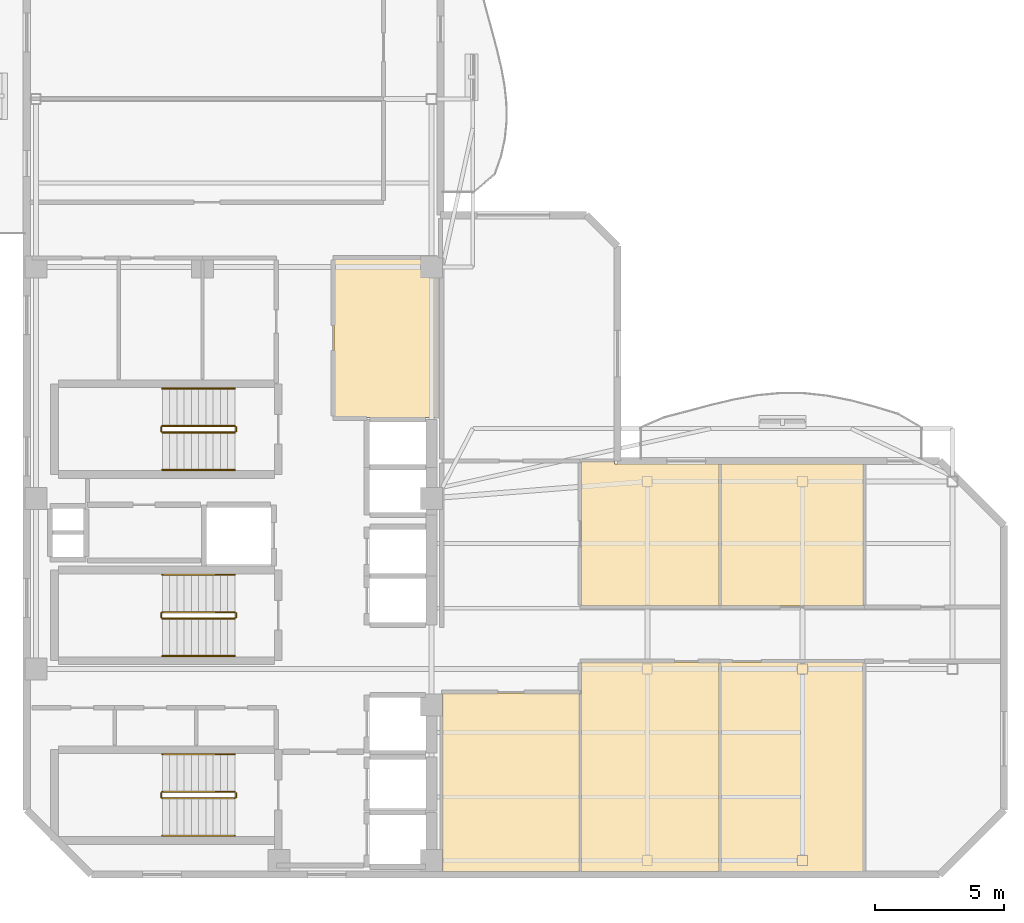
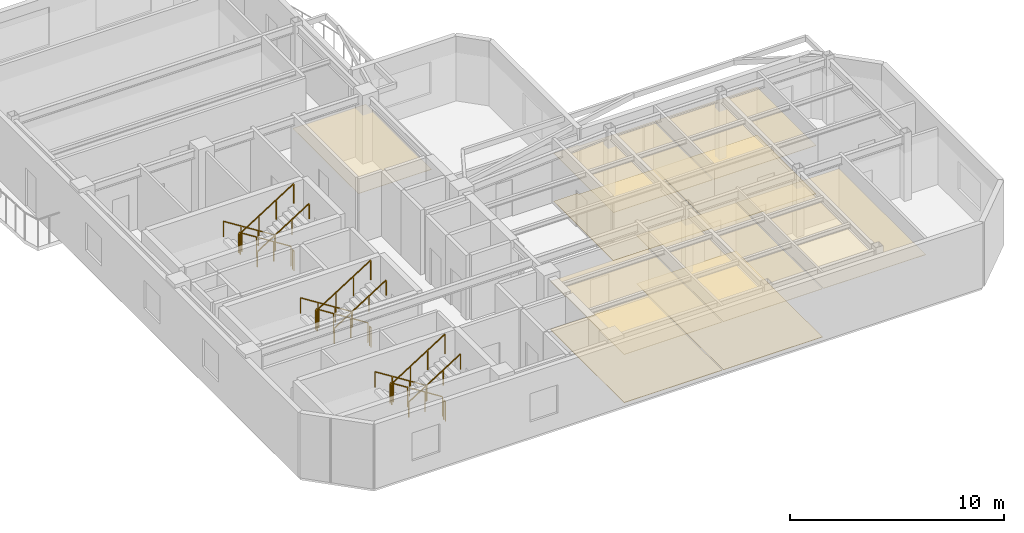
# One storey, part 6 of 7: 18 railings, 10 coverings.
"""IFC4 building model written with IfcOpenShell, lengths in metres."""

from ifc_helpers import new_model, si_unit, direction, frame, origin, origin_2d, place, context, subcontext, project, spatial, polyline, rectangle, outline, extrude, material, layer, layer_set, type_object, element, save


model = new_model("IFC4")

# Units and contexts
model_context = context("Model", 3, precision=1e-05, world=origin(), true_north=direction((0.0, 1.0)))
body_context = subcontext(model_context, "Body", "Model", "MODEL_VIEW")
ifc_project = project(units=[si_unit("LENGTHUNIT", "METRE"), si_unit("AREAUNIT", "SQUARE_METRE"), si_unit("VOLUMEUNIT", "CUBIC_METRE"), si_unit("PLANEANGLEUNIT", "RADIAN"), si_unit("MASSUNIT", "GRAM", prefix="KILO")], contexts=[model_context])

# Site, building, storey
site_placement = place(None, origin())
site = spatial("IfcSite", under=ifc_project, at=site_placement, CompositionType="ELEMENT")
building_placement = place(site_placement, origin())
building = spatial("IfcBuilding", under=site, at=building_placement, Name="Mawjaban Terraces University", CompositionType="ELEMENT")
storey_placement = place(building_placement, frame((0.0, 0.0, 252.10009765625)))
storey = spatial("IfcBuildingStorey", under=building, at=storey_placement, Name="L61", CompositionType="ELEMENT", Elevation=252.10009765625)

# Coverings
ifc_material_1 = material(Name="Acoustic mineral fibre ceiling tile", Category="masonry")
ifc_layer_1 = layer(ifc_material_1, 0.02001953125)
ifc_layer_set_1 = layer_set([ifc_layer_1], Name="Acoustic mineral fibre ceiling tile")
covering_type_1 = type_object("IfcCoveringType", Name="AcousticMineralCeiling_20", PredefinedType="CEILING", material=ifc_layer_set_1)
covering_1_placement = place(storey_placement, frame((0.0, 0.0, 2.75)))
element("IfcCovering", 1, at=covering_1_placement, inside=storey, type_object=covering_type_1, Name="L61 Graduate Research Collaboration Studio Acoustic Ceiling", PredefinedType="CEILING", context=body_context, shape_type="SweptSolid", body=[
    extrude(outline(polyline([(37.820068359375, 17.679931640625), (37.820068359375, 23.820068359375), (33.8798828125, 23.820068359375), (33.8798828125, 17.679931640625), (37.820068359375, 17.679931640625)])), origin(), (0.0, 0.0, 1.0), 0.02001953125),
])
covering_2_placement = place(storey_placement, frame((0.0, 0.0, 2.75)))
element("IfcCovering", 2, at=covering_2_placement, inside=storey, type_object=covering_type_1, Name="L61 Classroom 1 Acoustic Ceiling", PredefinedType="CEILING", context=body_context, shape_type="SweptSolid", body=[
    extrude(outline(polyline([(38.080078125, 7.02001953125), (38.080078125, 0.114990234375), (43.3701171875, 0.114990234375), (43.3701171875, 7.02001953125), (38.080078125, 7.02001953125)])), origin(), (0.0, 0.0, 1.0), 0.02001953125),
])
covering_3_placement = place(storey_placement, frame((0.0, 0.0, 2.75)))
element("IfcCovering", 3, at=covering_3_placement, inside=storey, type_object=covering_type_1, Name="L61 Seminar Room 2 Acoustic Ceiling", PredefinedType="CEILING", context=body_context, shape_type="SweptSolid", body=[
    extrude(outline(polyline([(43.429931640625, 0.114990234375), (48.781982421875, 0.114990234375), (48.781982421875, 8.219970703125), (43.429931640625, 8.219970703125), (43.429931640625, 0.114990234375)])), origin(), (0.0, 0.0, 1.0), 0.02001953125),
])
covering_4_placement = place(storey_placement, frame((0.0, 0.0, 2.75)))
element("IfcCovering", 4, at=covering_4_placement, inside=storey, type_object=covering_type_1, Name="L61 Classroom 3 Acoustic Ceiling", PredefinedType="CEILING", context=body_context, shape_type="SweptSolid", body=[
    extrude(outline(polyline([(48.781982421875, 15.885009765625), (44.72509765625, 15.885009765625), (44.72509765625, 15.969970703125), (43.429931640625, 15.969970703125), (43.429931640625, 10.3798828125), (48.781982421875, 10.3798828125), (48.781982421875, 15.885009765625)])), origin(), (0.0, 0.0, 1.0), 0.02001953125),
])
covering_5_placement = place(storey_placement, frame((0.0, 0.0, 2.75)))
element("IfcCovering", 5, at=covering_5_placement, inside=storey, type_object=covering_type_1, Name="L61 Teaching Laboratory 4 Acoustic Ceiling", PredefinedType="CEILING", context=body_context, shape_type="SweptSolid", body=[
    extrude(outline(polyline([(48.842041015625, 0.114990234375), (54.35791015625, 0.114990234375), (54.35791015625, 8.219970703125), (48.842041015625, 8.219970703125), (48.842041015625, 0.114990234375)])), origin(), (0.0, 0.0, 1.0), 0.02001953125),
])
covering_6_placement = place(storey_placement, frame((0.0, 0.0, 2.75)))
element("IfcCovering", 6, at=covering_6_placement, inside=storey, type_object=covering_type_1, Name="L61 Seminar Room 5 Acoustic Ceiling", PredefinedType="CEILING", context=body_context, shape_type="SweptSolid", body=[
    extrude(outline(polyline([(54.35791015625, 15.885009765625), (48.842041015625, 15.885009765625), (48.842041015625, 10.3798828125), (54.35791015625, 10.3798828125), (54.35791015625, 15.885009765625)])), origin(), (0.0, 0.0, 1.0), 0.02001953125),
])

# Railings
ifc_material_2 = material(Name="Brushed stainless steel 316", Category="steel")
railing_type_1 = type_object("IfcRailingType", Name="StairWallHandrail_900", PredefinedType="HANDRAIL", material=ifc_material_2)
railing_1_placement = place(storey_placement, frame((30.050048828125, 4.64990234375, 0.17724609375)))
element("IfcRailing", 7, at=railing_1_placement, inside=storey, type_object=railing_type_1, Name="L61 ST-1 stair handrail 1", PredefinedType="HANDRAIL", context=body_context, shape_type="SweptSolid", body=[
    extrude(rectangle(XDim=0.048095703125, YDim=0.048095703125, at=origin_2d()), frame((0.0, 0.0, 0.8759765625), z_axis=(-0.844908973607, 0.0, 0.534910110503), x_axis=(0.0, -1.0, 0.0)), (0.0, 0.0, 1.0), 3.31396484375),
    extrude(rectangle(XDim=0.0419921875, YDim=0.0419921875, at=origin_2d()), origin(), (0.0, 0.0, 1.0), 0.851806640625),
    extrude(rectangle(XDim=0.0419921875, YDim=0.0419921875, at=origin_2d()), frame((-0.933349609375, 0.0, 0.5908203125)), (0.0, 0.0, 1.0), 0.851806640625),
    extrude(rectangle(XDim=0.0419921875, YDim=0.0419921875, at=origin_2d()), frame((-1.86669921875, 0.0, 1.181884765625)), (0.0, 0.0, 1.0), 0.851806640625),
    extrude(rectangle(XDim=0.0419921875, YDim=0.0419921875, at=origin_2d()), frame((-2.800048828125, 0.0, 1.772705078125)), (0.0, 0.0, 1.0), 0.851806640625),
])
railing_2_placement = place(storey_placement, frame((27.25, 1.5, 2.127197265625)))
element("IfcRailing", 8, at=railing_2_placement, inside=storey, type_object=railing_type_1, Name="L61 ST-1 stair handrail 2", PredefinedType="HANDRAIL", context=body_context, shape_type="SweptSolid", body=[
    extrude(rectangle(XDim=0.048095703125, YDim=0.048095703125, at=origin_2d()), frame((0.0, 0.0, 0.8759765625), z_axis=(0.844908973607, 0.0, 0.534910110503), x_axis=(0.0, 1.0, 0.0)), (0.0, 0.0, 1.0), 3.31396484375),
    extrude(rectangle(XDim=0.0419921875, YDim=0.0419921875, at=origin_2d()), origin(), (0.0, 0.0, 1.0), 0.851806640625),
    extrude(rectangle(XDim=0.0419921875, YDim=0.0419921875, at=origin_2d()), frame((0.933349609375, 0.0, 0.5908203125)), (0.0, 0.0, 1.0), 0.851806640625),
    extrude(rectangle(XDim=0.0419921875, YDim=0.0419921875, at=origin_2d()), frame((1.86669921875, 0.0, 1.181884765625)), (0.0, 0.0, 1.0), 0.851806640625),
    extrude(rectangle(XDim=0.0419921875, YDim=0.0419921875, at=origin_2d()), frame((2.800048828125, 0.0, 1.772705078125)), (0.0, 0.0, 1.0), 0.851806640625),
])
railing_3_placement = place(storey_placement, frame((30.050048828125, 18.800048828125, 0.17724609375)))
element("IfcRailing", 9, at=railing_3_placement, inside=storey, type_object=railing_type_1, Name="L61 ST-2 stair handrail 1", PredefinedType="HANDRAIL", context=body_context, shape_type="SweptSolid", body=[
    extrude(rectangle(XDim=0.048095703125, YDim=0.048095703125, at=origin_2d()), frame((0.0, 0.0, 0.8759765625), z_axis=(-0.844908973607, 0.0, 0.534910110503), x_axis=(0.0, -1.0, 0.0)), (0.0, 0.0, 1.0), 3.31396484375),
    extrude(rectangle(XDim=0.0419921875, YDim=0.0419921875, at=origin_2d()), origin(), (0.0, 0.0, 1.0), 0.851806640625),
    extrude(rectangle(XDim=0.0419921875, YDim=0.0419921875, at=origin_2d()), frame((-0.933349609375, 0.0, 0.5908203125)), (0.0, 0.0, 1.0), 0.851806640625),
    extrude(rectangle(XDim=0.0419921875, YDim=0.0419921875, at=origin_2d()), frame((-1.86669921875, 0.0, 1.181884765625)), (0.0, 0.0, 1.0), 0.851806640625),
    extrude(rectangle(XDim=0.0419921875, YDim=0.0419921875, at=origin_2d()), frame((-2.800048828125, 0.0, 1.772705078125)), (0.0, 0.0, 1.0), 0.851806640625),
])
railing_4_placement = place(storey_placement, frame((27.25, 15.64990234375, 2.127197265625)))
element("IfcRailing", 10, at=railing_4_placement, inside=storey, type_object=railing_type_1, Name="L61 ST-2 stair handrail 2", PredefinedType="HANDRAIL", context=body_context, shape_type="SweptSolid", body=[
    extrude(rectangle(XDim=0.048095703125, YDim=0.048095703125, at=origin_2d()), frame((0.0, 0.0, 0.8759765625), z_axis=(0.844908973607, 0.0, 0.534910110503), x_axis=(0.0, 1.0, 0.0)), (0.0, 0.0, 1.0), 3.31396484375),
    extrude(rectangle(XDim=0.0419921875, YDim=0.0419921875, at=origin_2d()), origin(), (0.0, 0.0, 1.0), 0.851806640625),
    extrude(rectangle(XDim=0.0419921875, YDim=0.0419921875, at=origin_2d()), frame((0.933349609375, 0.0, 0.5908203125)), (0.0, 0.0, 1.0), 0.851806640625),
    extrude(rectangle(XDim=0.0419921875, YDim=0.0419921875, at=origin_2d()), frame((1.86669921875, 0.0, 1.181884765625)), (0.0, 0.0, 1.0), 0.851806640625),
    extrude(rectangle(XDim=0.0419921875, YDim=0.0419921875, at=origin_2d()), frame((2.800048828125, 0.0, 1.772705078125)), (0.0, 0.0, 1.0), 0.851806640625),
])
railing_5_placement = place(storey_placement, frame((30.050048828125, 11.60009765625, 0.17724609375)))
element("IfcRailing", 11, at=railing_5_placement, inside=storey, type_object=railing_type_1, Name="L61 ST-3 stair handrail 1", PredefinedType="HANDRAIL", context=body_context, shape_type="SweptSolid", body=[
    extrude(rectangle(XDim=0.048095703125, YDim=0.048095703125, at=origin_2d()), frame((0.0, 0.0, 0.8759765625), z_axis=(-0.844908973607, 0.0, 0.534910110503), x_axis=(0.0, -1.0, 0.0)), (0.0, 0.0, 1.0), 3.31396484375),
    extrude(rectangle(XDim=0.0419921875, YDim=0.0419921875, at=origin_2d()), origin(), (0.0, 0.0, 1.0), 0.851806640625),
    extrude(rectangle(XDim=0.0419921875, YDim=0.0419921875, at=origin_2d()), frame((-0.933349609375, 0.0, 0.5908203125)), (0.0, 0.0, 1.0), 0.851806640625),
    extrude(rectangle(XDim=0.0419921875, YDim=0.0419921875, at=origin_2d()), frame((-1.86669921875, 0.0, 1.181884765625)), (0.0, 0.0, 1.0), 0.851806640625),
    extrude(rectangle(XDim=0.0419921875, YDim=0.0419921875, at=origin_2d()), frame((-2.800048828125, 0.0, 1.772705078125)), (0.0, 0.0, 1.0), 0.851806640625),
])
railing_6_placement = place(storey_placement, frame((27.25, 8.449951171875, 2.127197265625)))
element("IfcRailing", 12, at=railing_6_placement, inside=storey, type_object=railing_type_1, Name="L61 ST-3 stair handrail 2", PredefinedType="HANDRAIL", context=body_context, shape_type="SweptSolid", body=[
    extrude(rectangle(XDim=0.048095703125, YDim=0.048095703125, at=origin_2d()), frame((0.0, 0.0, 0.8759765625), z_axis=(0.844908973607, 0.0, 0.534910110503), x_axis=(0.0, 1.0, 0.0)), (0.0, 0.0, 1.0), 3.31396484375),
    extrude(rectangle(XDim=0.0419921875, YDim=0.0419921875, at=origin_2d()), origin(), (0.0, 0.0, 1.0), 0.851806640625),
    extrude(rectangle(XDim=0.0419921875, YDim=0.0419921875, at=origin_2d()), frame((0.933349609375, 0.0, 0.5908203125)), (0.0, 0.0, 1.0), 0.851806640625),
    extrude(rectangle(XDim=0.0419921875, YDim=0.0419921875, at=origin_2d()), frame((1.86669921875, 0.0, 1.181884765625)), (0.0, 0.0, 1.0), 0.851806640625),
    extrude(rectangle(XDim=0.0419921875, YDim=0.0419921875, at=origin_2d()), frame((2.800048828125, 0.0, 1.772705078125)), (0.0, 0.0, 1.0), 0.851806640625),
])
ifc_material_3 = material(Name="Galvanised painted steel S355", Category="steel")
railing_type_2 = type_object("IfcRailingType", Name="StairWellGuard_1150", PredefinedType="BALUSTRADE", material=ifc_material_3)
railing_7_placement = place(storey_placement, frame((30.050048828125, 3.199951171875, 0.17724609375)))
element("IfcRailing", 13, at=railing_7_placement, inside=storey, type_object=railing_type_2, Name="L61 ST-1 stair guard 1", PredefinedType="BALUSTRADE", context=body_context, shape_type="SweptSolid", body=[
    extrude(rectangle(XDim=0.048095703125, YDim=0.048095703125, at=origin_2d()), frame((0.0, 0.0, 1.1259765625), z_axis=(-0.844908973607, 0.0, 0.534910110503), x_axis=(0.0, -1.0, 0.0)), (0.0, 0.0, 1.0), 3.31396484375),
    extrude(rectangle(XDim=0.0419921875, YDim=0.0419921875, at=origin_2d()), origin(), (0.0, 0.0, 1.0), 1.101806640625),
    extrude(rectangle(XDim=0.0419921875, YDim=0.0419921875, at=origin_2d()), frame((-0.933349609375, 0.0, 0.5908203125)), (0.0, 0.0, 1.0), 1.101806640625),
    extrude(rectangle(XDim=0.0419921875, YDim=0.0419921875, at=origin_2d()), frame((-1.86669921875, 0.0, 1.181884765625)), (0.0, 0.0, 1.0), 1.101806640625),
    extrude(rectangle(XDim=0.0419921875, YDim=0.0419921875, at=origin_2d()), frame((-2.800048828125, 0.0, 1.772705078125)), (0.0, 0.0, 1.0), 1.101806640625),
])
railing_8_placement = place(storey_placement, frame((27.199951171875, 3.14990234375, 1.949951171875)))
element("IfcRailing", 14, at=railing_8_placement, inside=storey, type_object=railing_type_2, Name="L61 ST-1 stair guard 2", PredefinedType="BALUSTRADE", context=body_context, shape_type="SweptSolid", body=[
    extrude(rectangle(XDim=0.048095703125, YDim=0.048095703125, at=origin_2d()), frame((0.0, 0.0, 1.1259765625), z_axis=(0.0, -1.0, 0.0), x_axis=(1.0, 0.0, 0.0)), (0.0, 0.0, 1.0), 0.14990234375),
    extrude(rectangle(XDim=0.0419921875, YDim=0.0419921875, at=origin_2d()), origin(), (0.0, 0.0, 1.0), 1.101806640625),
    extrude(rectangle(XDim=0.0419921875, YDim=0.0419921875, at=origin_2d()), frame((0.0, -0.14990234375, 0.0)), (0.0, 0.0, 1.0), 1.101806640625),
])
railing_9_placement = place(storey_placement, frame((27.25, 2.949951171875, 2.127197265625)))
element("IfcRailing", 15, at=railing_9_placement, inside=storey, type_object=railing_type_2, Name="L61 ST-1 stair guard 3", PredefinedType="BALUSTRADE", context=body_context, shape_type="SweptSolid", body=[
    extrude(rectangle(XDim=0.048095703125, YDim=0.048095703125, at=origin_2d()), frame((0.0, 0.0, 1.1259765625), z_axis=(0.844908973607, 0.0, 0.534910110503), x_axis=(0.0, 1.0, 0.0)), (0.0, 0.0, 1.0), 3.31396484375),
    extrude(rectangle(XDim=0.0419921875, YDim=0.0419921875, at=origin_2d()), origin(), (0.0, 0.0, 1.0), 1.101806640625),
    extrude(rectangle(XDim=0.0419921875, YDim=0.0419921875, at=origin_2d()), frame((0.933349609375, 0.0, 0.5908203125)), (0.0, 0.0, 1.0), 1.101806640625),
    extrude(rectangle(XDim=0.0419921875, YDim=0.0419921875, at=origin_2d()), frame((1.86669921875, 0.0, 1.181884765625)), (0.0, 0.0, 1.0), 1.101806640625),
    extrude(rectangle(XDim=0.0419921875, YDim=0.0419921875, at=origin_2d()), frame((2.800048828125, 0.0, 1.772705078125)), (0.0, 0.0, 1.0), 1.101806640625),
])
railing_10_placement = place(storey_placement, frame((30.10009765625, 3.14990234375, 0.0)))
element("IfcRailing", 16, at=railing_10_placement, inside=storey, type_object=railing_type_2, Name="L61 ST-1 stair guard 4", PredefinedType="BALUSTRADE", context=body_context, shape_type="SweptSolid", body=[
    extrude(rectangle(XDim=0.048095703125, YDim=0.048095703125, at=origin_2d()), frame((0.0, 0.0, 1.1259765625), z_axis=(0.0, -1.0, 0.0), x_axis=(1.0, 0.0, 0.0)), (0.0, 0.0, 1.0), 0.14990234375),
    extrude(rectangle(XDim=0.0419921875, YDim=0.0419921875, at=origin_2d()), origin(), (0.0, 0.0, 1.0), 1.101806640625),
    extrude(rectangle(XDim=0.0419921875, YDim=0.0419921875, at=origin_2d()), frame((0.0, -0.14990234375, 0.0)), (0.0, 0.0, 1.0), 1.101806640625),
])
railing_11_placement = place(storey_placement, frame((30.050048828125, 17.35009765625, 0.17724609375)))
element("IfcRailing", 17, at=railing_11_placement, inside=storey, type_object=railing_type_2, Name="L61 ST-2 stair guard 1", PredefinedType="BALUSTRADE", context=body_context, shape_type="SweptSolid", body=[
    extrude(rectangle(XDim=0.048095703125, YDim=0.048095703125, at=origin_2d()), frame((0.0, 0.0, 1.1259765625), z_axis=(-0.844908973607, 0.0, 0.534910110503), x_axis=(0.0, -1.0, 0.0)), (0.0, 0.0, 1.0), 3.31396484375),
    extrude(rectangle(XDim=0.0419921875, YDim=0.0419921875, at=origin_2d()), origin(), (0.0, 0.0, 1.0), 1.101806640625),
    extrude(rectangle(XDim=0.0419921875, YDim=0.0419921875, at=origin_2d()), frame((-0.933349609375, 0.0, 0.5908203125)), (0.0, 0.0, 1.0), 1.101806640625),
    extrude(rectangle(XDim=0.0419921875, YDim=0.0419921875, at=origin_2d()), frame((-1.86669921875, 0.0, 1.181884765625)), (0.0, 0.0, 1.0), 1.101806640625),
    extrude(rectangle(XDim=0.0419921875, YDim=0.0419921875, at=origin_2d()), frame((-2.800048828125, 0.0, 1.772705078125)), (0.0, 0.0, 1.0), 1.101806640625),
])
railing_12_placement = place(storey_placement, frame((27.199951171875, 17.300048828125, 1.949951171875)))
element("IfcRailing", 18, at=railing_12_placement, inside=storey, type_object=railing_type_2, Name="L61 ST-2 stair guard 2", PredefinedType="BALUSTRADE", context=body_context, shape_type="SweptSolid", body=[
    extrude(rectangle(XDim=0.048095703125, YDim=0.048095703125, at=origin_2d()), frame((0.0, 0.0, 1.1259765625), z_axis=(0.0, -1.0, 0.0), x_axis=(1.0, 0.0, 0.0)), (0.0, 0.0, 1.0), 0.150146484375),
    extrude(rectangle(XDim=0.0419921875, YDim=0.0419921875, at=origin_2d()), origin(), (0.0, 0.0, 1.0), 1.101806640625),
    extrude(rectangle(XDim=0.0419921875, YDim=0.0419921875, at=origin_2d()), frame((0.0, -0.150146484375, 0.0)), (0.0, 0.0, 1.0), 1.101806640625),
])
railing_13_placement = place(storey_placement, frame((27.25, 17.10009765625, 2.127197265625)))
element("IfcRailing", 19, at=railing_13_placement, inside=storey, type_object=railing_type_2, Name="L61 ST-2 stair guard 3", PredefinedType="BALUSTRADE", context=body_context, shape_type="SweptSolid", body=[
    extrude(rectangle(XDim=0.048095703125, YDim=0.048095703125, at=origin_2d()), frame((0.0, 0.0, 1.1259765625), z_axis=(0.844908973607, 0.0, 0.534910110503), x_axis=(0.0, 1.0, 0.0)), (0.0, 0.0, 1.0), 3.31396484375),
    extrude(rectangle(XDim=0.0419921875, YDim=0.0419921875, at=origin_2d()), origin(), (0.0, 0.0, 1.0), 1.101806640625),
    extrude(rectangle(XDim=0.0419921875, YDim=0.0419921875, at=origin_2d()), frame((0.933349609375, 0.0, 0.5908203125)), (0.0, 0.0, 1.0), 1.101806640625),
    extrude(rectangle(XDim=0.0419921875, YDim=0.0419921875, at=origin_2d()), frame((1.86669921875, 0.0, 1.181884765625)), (0.0, 0.0, 1.0), 1.101806640625),
    extrude(rectangle(XDim=0.0419921875, YDim=0.0419921875, at=origin_2d()), frame((2.800048828125, 0.0, 1.772705078125)), (0.0, 0.0, 1.0), 1.101806640625),
])
railing_14_placement = place(storey_placement, frame((30.10009765625, 17.300048828125, 0.0)))
element("IfcRailing", 20, at=railing_14_placement, inside=storey, type_object=railing_type_2, Name="L61 ST-2 stair guard 4", PredefinedType="BALUSTRADE", context=body_context, shape_type="SweptSolid", body=[
    extrude(rectangle(XDim=0.048095703125, YDim=0.048095703125, at=origin_2d()), frame((0.0, 0.0, 1.1259765625), z_axis=(0.0, -1.0, 0.0), x_axis=(1.0, 0.0, 0.0)), (0.0, 0.0, 1.0), 0.150146484375),
    extrude(rectangle(XDim=0.0419921875, YDim=0.0419921875, at=origin_2d()), origin(), (0.0, 0.0, 1.0), 1.101806640625),
    extrude(rectangle(XDim=0.0419921875, YDim=0.0419921875, at=origin_2d()), frame((0.0, -0.150146484375, 0.0)), (0.0, 0.0, 1.0), 1.101806640625),
])
railing_15_placement = place(storey_placement, frame((30.050048828125, 10.14990234375, 0.17724609375)))
element("IfcRailing", 21, at=railing_15_placement, inside=storey, type_object=railing_type_2, Name="L61 ST-3 stair guard 1", PredefinedType="BALUSTRADE", context=body_context, shape_type="SweptSolid", body=[
    extrude(rectangle(XDim=0.048095703125, YDim=0.048095703125, at=origin_2d()), frame((0.0, 0.0, 1.1259765625), z_axis=(-0.844908973607, 0.0, 0.534910110503), x_axis=(0.0, -1.0, 0.0)), (0.0, 0.0, 1.0), 3.31396484375),
    extrude(rectangle(XDim=0.0419921875, YDim=0.0419921875, at=origin_2d()), origin(), (0.0, 0.0, 1.0), 1.101806640625),
    extrude(rectangle(XDim=0.0419921875, YDim=0.0419921875, at=origin_2d()), frame((-0.933349609375, 0.0, 0.5908203125)), (0.0, 0.0, 1.0), 1.101806640625),
    extrude(rectangle(XDim=0.0419921875, YDim=0.0419921875, at=origin_2d()), frame((-1.86669921875, 0.0, 1.181884765625)), (0.0, 0.0, 1.0), 1.101806640625),
    extrude(rectangle(XDim=0.0419921875, YDim=0.0419921875, at=origin_2d()), frame((-2.800048828125, 0.0, 1.772705078125)), (0.0, 0.0, 1.0), 1.101806640625),
])
railing_16_placement = place(storey_placement, frame((27.199951171875, 10.10009765625, 1.949951171875)))
element("IfcRailing", 22, at=railing_16_placement, inside=storey, type_object=railing_type_2, Name="L61 ST-3 stair guard 2", PredefinedType="BALUSTRADE", context=body_context, shape_type="SweptSolid", body=[
    extrude(rectangle(XDim=0.048095703125, YDim=0.048095703125, at=origin_2d()), frame((0.0, 0.0, 1.1259765625), z_axis=(0.0, -1.0, 0.0), x_axis=(1.0, 0.0, 0.0)), (0.0, 0.0, 1.0), 0.150146484375),
    extrude(rectangle(XDim=0.0419921875, YDim=0.0419921875, at=origin_2d()), origin(), (0.0, 0.0, 1.0), 1.101806640625),
    extrude(rectangle(XDim=0.0419921875, YDim=0.0419921875, at=origin_2d()), frame((0.0, -0.150146484375, 0.0)), (0.0, 0.0, 1.0), 1.101806640625),
])
railing_17_placement = place(storey_placement, frame((27.25, 9.89990234375, 2.127197265625)))
element("IfcRailing", 23, at=railing_17_placement, inside=storey, type_object=railing_type_2, Name="L61 ST-3 stair guard 3", PredefinedType="BALUSTRADE", context=body_context, shape_type="SweptSolid", body=[
    extrude(rectangle(XDim=0.048095703125, YDim=0.048095703125, at=origin_2d()), frame((0.0, 0.0, 1.1259765625), z_axis=(0.844908973607, 0.0, 0.534910110503), x_axis=(0.0, 1.0, 0.0)), (0.0, 0.0, 1.0), 3.31396484375),
    extrude(rectangle(XDim=0.0419921875, YDim=0.0419921875, at=origin_2d()), origin(), (0.0, 0.0, 1.0), 1.101806640625),
    extrude(rectangle(XDim=0.0419921875, YDim=0.0419921875, at=origin_2d()), frame((0.933349609375, 0.0, 0.5908203125)), (0.0, 0.0, 1.0), 1.101806640625),
    extrude(rectangle(XDim=0.0419921875, YDim=0.0419921875, at=origin_2d()), frame((1.86669921875, 0.0, 1.181884765625)), (0.0, 0.0, 1.0), 1.101806640625),
    extrude(rectangle(XDim=0.0419921875, YDim=0.0419921875, at=origin_2d()), frame((2.800048828125, 0.0, 1.772705078125)), (0.0, 0.0, 1.0), 1.101806640625),
])
railing_18_placement = place(storey_placement, frame((30.10009765625, 10.10009765625, 0.0)))
element("IfcRailing", 24, at=railing_18_placement, inside=storey, type_object=railing_type_2, Name="L61 ST-3 stair guard 4", PredefinedType="BALUSTRADE", context=body_context, shape_type="SweptSolid", body=[
    extrude(rectangle(XDim=0.048095703125, YDim=0.048095703125, at=origin_2d()), frame((0.0, 0.0, 1.1259765625), z_axis=(0.0, -1.0, 0.0), x_axis=(1.0, 0.0, 0.0)), (0.0, 0.0, 1.0), 0.150146484375),
    extrude(rectangle(XDim=0.0419921875, YDim=0.0419921875, at=origin_2d()), origin(), (0.0, 0.0, 1.0), 1.101806640625),
    extrude(rectangle(XDim=0.0419921875, YDim=0.0419921875, at=origin_2d()), frame((0.0, -0.150146484375, 0.0)), (0.0, 0.0, 1.0), 1.101806640625),
])

# Coverings
ifc_material_4 = material(Name="Polished Hijazi granite terrazzo flooring", Category="masonry")
ifc_layer_2 = layer(ifc_material_4, 0.02490234375)
ifc_layer_set_2 = layer_set([ifc_layer_2], Name="Polished Hijazi granite terrazzo flooring")
covering_type_2 = type_object("IfcCoveringType", Name="TerrazzoConcourseFlooring_25", PredefinedType="FLOORING", material=ifc_layer_set_2)
covering_7_placement = place(storey_placement, origin())
element("IfcCovering", 25, at=covering_7_placement, inside=storey, type_object=covering_type_2, Name="L61 Classroom 1 Terrazzo Flooring", PredefinedType="FLOORING", context=body_context, shape_type="SweptSolid", body=[
    extrude(outline(polyline([(38.080078125, 7.02001953125), (38.080078125, 0.114990234375), (43.3701171875, 0.114990234375), (43.3701171875, 7.02001953125), (38.080078125, 7.02001953125)])), origin(), (0.0, 0.0, 1.0), 0.02490234375),
])
covering_8_placement = place(storey_placement, origin())
element("IfcCovering", 26, at=covering_8_placement, inside=storey, type_object=covering_type_2, Name="L61 Seminar Room 2 Terrazzo Flooring", PredefinedType="FLOORING", context=body_context, shape_type="SweptSolid", body=[
    extrude(outline(polyline([(43.429931640625, 0.114990234375), (48.781982421875, 0.114990234375), (48.781982421875, 8.219970703125), (43.429931640625, 8.219970703125), (43.429931640625, 0.114990234375)])), origin(), (0.0, 0.0, 1.0), 0.02490234375),
])
covering_9_placement = place(storey_placement, origin())
element("IfcCovering", 27, at=covering_9_placement, inside=storey, type_object=covering_type_2, Name="L61 Classroom 3 Terrazzo Flooring", PredefinedType="FLOORING", context=body_context, shape_type="SweptSolid", body=[
    extrude(outline(polyline([(48.781982421875, 15.885009765625), (44.72509765625, 15.885009765625), (44.72509765625, 15.969970703125), (43.429931640625, 15.969970703125), (43.429931640625, 10.3798828125), (48.781982421875, 10.3798828125), (48.781982421875, 15.885009765625)])), origin(), (0.0, 0.0, 1.0), 0.02490234375),
])
covering_10_placement = place(storey_placement, origin())
element("IfcCovering", 28, at=covering_10_placement, inside=storey, type_object=covering_type_2, Name="L61 Seminar Room 5 Terrazzo Flooring", PredefinedType="FLOORING", context=body_context, shape_type="SweptSolid", body=[
    extrude(outline(polyline([(54.35791015625, 15.885009765625), (48.842041015625, 15.885009765625), (48.842041015625, 10.3798828125), (54.35791015625, 10.3798828125), (54.35791015625, 15.885009765625)])), origin(), (0.0, 0.0, 1.0), 0.02490234375),
])

save(model, "model.ifc")
